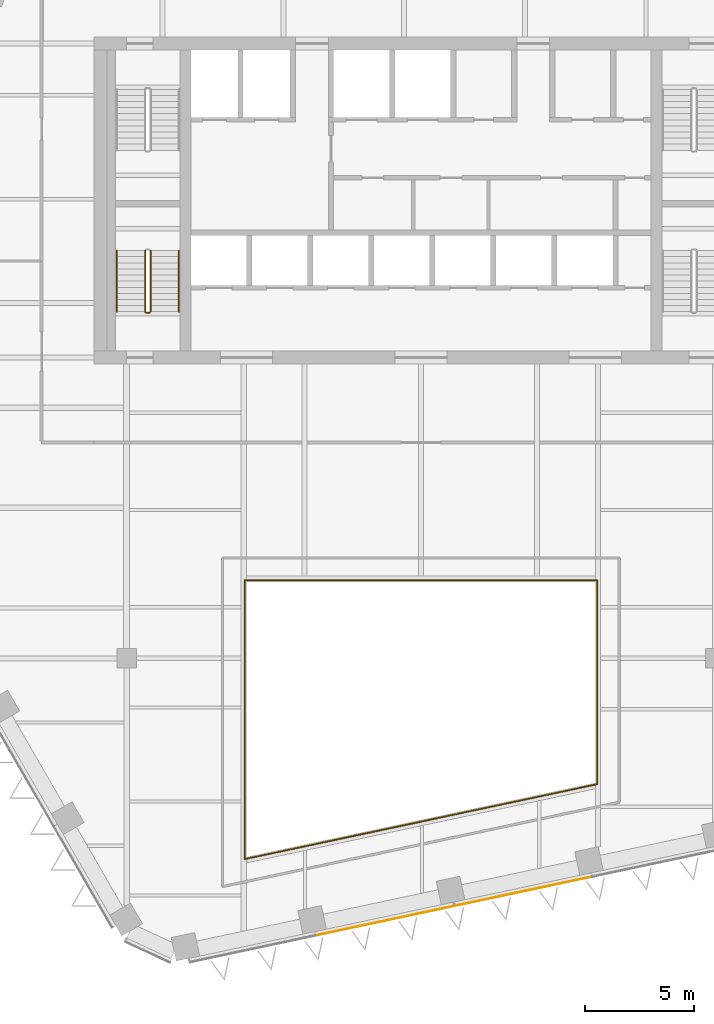
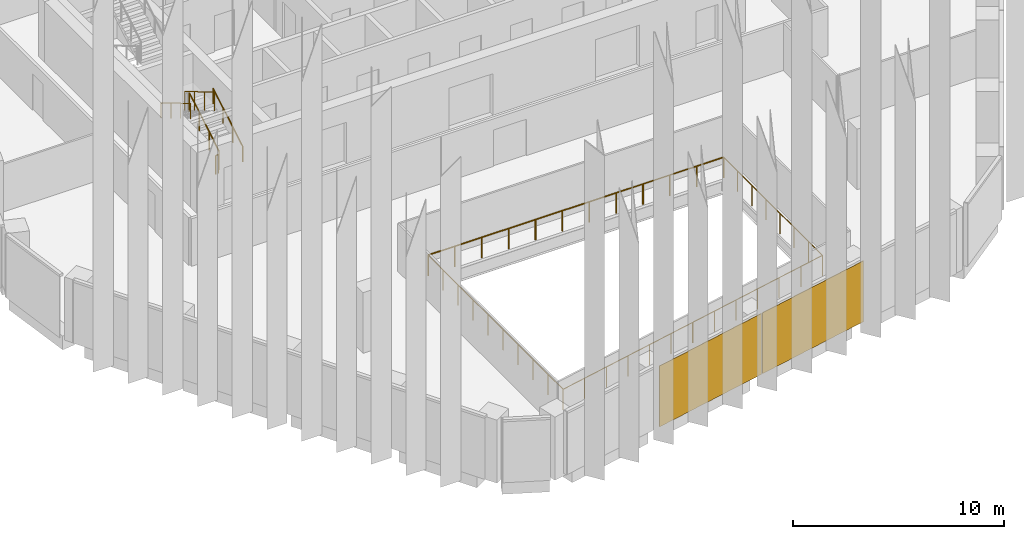
# One storey, part 12 of 18: 9 railings, 2 coverings, 1 element without a shape of its own.
"""IFC4 building model written with IfcOpenShell, lengths in metres."""

import ifcopenshell
import ifcopenshell.guid

model = None  # the IFC model being written
_history = None  # IfcOwnerHistory: only IFC2X3 demands one
_inside = {}  # id of a spatial element -> (the spatial element, [elements in it])
_under = {}  # id of a project, library or spatial element -> (it, [spatial elements below it])
_declared = {}  # id of a project -> (the project, [libraries it declares])
_typed = {}  # id of a type object -> (the type object, [elements of that type])
_made_of = {}  # id of a material, layer set ... -> (it, [elements and type objects made of it])


def new_model(schema):
    """Start an empty IFC model of exactly this schema.

    Asked for "IFC4X3", IfcOpenShell would pick the latest addendum, in which some entities
    have other attributes; the version numbers below select the first issue.
    IFC2X3 requires an IfcOwnerHistory on every rooted entity: one is made here for all.
    """
    global model, _history
    if schema == "IFC4X3":
        model = ifcopenshell.file(schema_version=(4, 3, 0, 0))
    else:
        model = ifcopenshell.file(schema=schema)
    _inside.clear()
    _under.clear()
    _declared.clear()
    _typed.clear()
    _made_of.clear()
    _history = None
    if model.schema == "IFC2X3":
        org = make("IfcOrganization", Name="unknown")
        user = make(
            "IfcPersonAndOrganization",
            ThePerson=make("IfcPerson", FamilyName="unknown"),
            TheOrganization=org,
        )
        app = make(
            "IfcApplication",
            ApplicationDeveloper=org,
            Version="unknown",
            ApplicationFullName="unknown",
            ApplicationIdentifier="unknown",
        )
        _history = make(
            "IfcOwnerHistory",
            OwningUser=user,
            OwningApplication=app,
            ChangeAction="ADDED",
            CreationDate=0,
        )
    return model


def make(cls, **values):
    """One entity of the class cls with the attributes given. An attribute that is None is left unset."""
    return model.create_entity(
        cls, **{name: value for name, value in values.items() if value is not None}
    )


def rooted(cls, **values):
    """An entity with a GlobalId (a new one), such as an element, a storey or a relation."""
    return make(cls, GlobalId=ifcopenshell.guid.new(), OwnerHistory=_history, **values)


def si_unit(unit_type, name, prefix=None):
    """IfcSIUnit, for example si_unit("LENGTHUNIT", "METRE", prefix="MILLI")."""
    return make("IfcSIUnit", UnitType=unit_type, Prefix=prefix, Name=name)


def assignment(units):
    """IfcUnitAssignment: the units of a project."""
    return None if units is None else make("IfcUnitAssignment", Units=units)


def point(xyz):
    """IfcCartesianPoint."""
    return None if xyz is None else make("IfcCartesianPoint", Coordinates=xyz)


def direction(xyz):
    """IfcDirection."""
    return None if xyz is None else make("IfcDirection", DirectionRatios=xyz)


def frame(location, z_axis=None, x_axis=None):
    """IfcAxis2Placement3D, a coordinate frame: its origin and axes. An axis left out is left unset."""
    return make(
        "IfcAxis2Placement3D",
        Location=point(location),
        Axis=direction(z_axis),
        RefDirection=direction(x_axis),
    )


def frame_2d(location, x_axis=None):
    """IfcAxis2Placement2D, a coordinate frame in the plane: its origin and x axis."""
    return make(
        "IfcAxis2Placement2D", Location=point(location), RefDirection=direction(x_axis)
    )


def origin():
    """The frame at (0, 0, 0) with its axes left unset."""
    return frame((0.0, 0.0, 0.0))


def origin_2d():
    """The frame at (0, 0) in the plane with its x axis left unset."""
    return frame_2d((0.0, 0.0))


def place(relative_to, where):
    """IfcLocalPlacement: puts the frame where relative to a parent placement (None: the world)."""
    return make(
        "IfcLocalPlacement", PlacementRelTo=relative_to, RelativePlacement=where
    )


def context(
    kind, dimensions, precision=None, world=None, true_north=None, identifier=None
):
    """IfcGeometricRepresentationContext, for example the 3D "Model" context."""
    return make(
        "IfcGeometricRepresentationContext",
        ContextIdentifier=identifier,
        ContextType=kind,
        CoordinateSpaceDimension=dimensions,
        Precision=precision,
        WorldCoordinateSystem=world,
        TrueNorth=true_north,
    )


def subcontext(parent, identifier, kind, view, scale=None):
    """IfcGeometricRepresentationSubContext, for example "Body" below "Model"."""
    return make(
        "IfcGeometricRepresentationSubContext",
        ContextIdentifier=identifier,
        ContextType=kind,
        ParentContext=parent,
        TargetScale=scale,
        TargetView=view,
    )


def project(units=None, contexts=None):
    """IfcProject with its units and contexts."""
    return rooted(
        "IfcProject",
        Name="project",
        RepresentationContexts=contexts,
        UnitsInContext=assignment(units),
    )


def spatial(cls, under=None, at=None, **own):
    """A site, building, storey or space (cls), placed at a placement, below another one or the project."""
    s = rooted(cls, ObjectPlacement=at, **own)
    if under is not None:
        _under.setdefault(under.id(), (under, []))[1].append(s)
    return s


def profile(cls, at=None, kind="AREA", **sizes):
    """A parametric profile (cls). Its sizes go by their IFC names, for example OverallWidth=200.0."""
    return make(cls, ProfileType=kind, Position=at, **sizes)


def rectangle(**sizes):
    """IfcRectangleProfileDef."""
    return profile("IfcRectangleProfileDef", **sizes)


def circle(**sizes):
    """IfcCircleProfileDef."""
    return profile("IfcCircleProfileDef", **sizes)


def extrude(swept, where, along, depth):
    """IfcExtrudedAreaSolid: the profile swept, set in the frame where, extruded along a direction by depth."""
    return make(
        "IfcExtrudedAreaSolid",
        SweptArea=swept,
        Position=where,
        ExtrudedDirection=direction(along),
        Depth=depth,
    )


def shape(context_of_items, identifier, shape_type, items):
    """IfcShapeRepresentation: the items that make up one representation, for example the "Body"."""
    return make(
        "IfcShapeRepresentation",
        ContextOfItems=context_of_items,
        RepresentationIdentifier=identifier,
        RepresentationType=shape_type,
        Items=items,
    )


def material(Name=None, Category=None):
    """IfcMaterial."""
    return make("IfcMaterial", Name=Name, Category=Category)


def layer(
    of_material, thickness, ventilated=None, Name=None, Category=None, Priority=None
):
    """IfcMaterialLayer: one layer of a wall or slab, of a material (None: an air gap)."""
    return make(
        "IfcMaterialLayer",
        Material=of_material,
        LayerThickness=thickness,
        IsVentilated=ventilated,
        Name=Name,
        Category=Category,
        Priority=Priority,
    )


def layer_set(layers, Name=None):
    """IfcMaterialLayerSet."""
    return make("IfcMaterialLayerSet", MaterialLayers=layers, LayerSetName=Name)


def made_of(thing, what):
    """Note that an element or type object is made of a material, layer set ...; save() writes the relation."""
    if what is not None:
        _made_of.setdefault(what.id(), (what, []))[1].append(thing)
    return thing


def type_object(cls, material=None, **own):
    """A type object (cls), such as IfcWallType, which elements share."""
    return made_of(rooted(cls, **own), material)


def element(
    cls,
    number,
    at=None,
    inside=None,
    cuts=None,
    type_object=None,
    material=None,
    context=None,
    identifier="Body",
    shape_type=None,
    held_by="IfcProductDefinitionShape",
    body=None,
    shapes=None,
    **own,
):
    """One element of the class cls, such as IfcWall. Its Tag is "e" and its number.

    at: its placement. inside: the storey or other place that contains it. cuts: it is an
    opening in that element (IfcRelVoidsElement). A single representation is given by context,
    identifier, shape_type and body (its items); several are given by shapes. held_by: the class
    of the entity that holds the representations. save() writes the other relations.
    """
    e = rooted(cls, Tag="e%d" % number, ObjectPlacement=at, **own)
    if body is not None:
        shapes = [shape(context, identifier, shape_type, body)]
    if shapes is not None:
        e.Representation = make(held_by, Representations=shapes)
    if inside is not None:
        _inside.setdefault(inside.id(), (inside, []))[1].append(e)
    if cuts is not None:
        rooted(
            "IfcRelVoidsElement", RelatingBuildingElement=cuts, RelatedOpeningElement=e
        )
    if type_object is not None:
        _typed.setdefault(type_object.id(), (type_object, []))[1].append(e)
    return made_of(e, material)


def aggregate(whole, parts):
    """IfcRelAggregates: a whole, such as a stair, and the parts it consists of."""
    return rooted("IfcRelAggregates", RelatingObject=whole, RelatedObjects=parts)


def save(model, path):
    """Write the relations noted so far, then the file.

    IfcRelAggregates (storeys below a building ...), IfcRelContainedInSpatialStructure (elements
    in a storey), IfcRelDefinesByType, IfcRelAssociatesMaterial and IfcRelDeclares: one each for
    every whole, place, type object, material and project.
    """
    for whole, parts in _under.values():
        aggregate(whole, parts)
    for where, things in _inside.values():
        rooted(
            "IfcRelContainedInSpatialStructure",
            RelatedElements=things,
            RelatingStructure=where,
        )
    for kind, things in _typed.values():
        rooted("IfcRelDefinesByType", RelatedObjects=things, RelatingType=kind)
    for what, things in _made_of.values():
        rooted("IfcRelAssociatesMaterial", RelatedObjects=things, RelatingMaterial=what)
    for by, libraries in _declared.values():
        rooted("IfcRelDeclares", RelatingContext=by, RelatedDefinitions=libraries)
    model.write(path)


model = new_model("IFC4")

# Units and contexts
model_context = context("Model", 3, precision=1e-05, world=origin(), true_north=direction((0.0, 1.0)))
body_context = subcontext(model_context, "Body", "Model", "MODEL_VIEW")
ifc_project = project(units=[si_unit("LENGTHUNIT", "METRE"), si_unit("AREAUNIT", "SQUARE_METRE"), si_unit("VOLUMEUNIT", "CUBIC_METRE"), si_unit("PLANEANGLEUNIT", "RADIAN"), si_unit("MASSUNIT", "GRAM", prefix="KILO")], contexts=[model_context])

# Site, building, storey
site_placement = place(None, origin())
site = spatial("IfcSite", under=ifc_project, at=site_placement, CompositionType="ELEMENT")
building_placement = place(site_placement, origin())
building = spatial("IfcBuilding", under=site, at=building_placement, Name="Isthmus Gate Tower", CompositionType="ELEMENT")
storey_placement = place(building_placement, frame((0.0, 0.0, 238.199951171875)))
storey = spatial("IfcBuildingStorey", under=building, at=storey_placement, Name="L60", CompositionType="ELEMENT", Elevation=238.199951171875)

# Railings
ifc_material_1 = material(Name="Laminated toughened glass balustrade with steel rail", Category="steel")
railing_type_1 = type_object("IfcRailingType", Name="ATRIUM GUARD GLASS BALUSTRADE 1200", PredefinedType="GUARDRAIL", material=ifc_material_1)
railing_1_placement = place(storey_placement, frame((-8.080078125, -22.7099609375, 0.0)))
element("IfcRailing", 1, at=railing_1_placement, inside=storey, type_object=railing_type_1, Name="L60 atrium guard", PredefinedType="GUARDRAIL", context=body_context, shape_type="SweptSolid", body=[
    extrude(circle(Radius=0.02490234375, at=origin_2d()), frame((0.0, 0.0, 1.1748046875), z_axis=(0.0, 1.0, 0.0), x_axis=(-1.0, 0.0, 0.0)), (0.0, 0.0, 1.0), 12.7900390625),
    extrude(circle(Radius=0.02490234375, at=origin_2d()), origin(), (0.0, 0.0, 1.0), 1.14990234375),
    extrude(circle(Radius=0.02490234375, at=origin_2d()), frame((0.0, 1.421142578125, 0.0)), (0.0, 0.0, 1.0), 1.14990234375),
    extrude(circle(Radius=0.02490234375, at=origin_2d()), frame((0.0, 2.84228515625, 0.0)), (0.0, 0.0, 1.0), 1.14990234375),
    extrude(circle(Radius=0.02490234375, at=origin_2d()), frame((0.0, 4.263427734375, 0.0)), (0.0, 0.0, 1.0), 1.14990234375),
    extrude(circle(Radius=0.02490234375, at=origin_2d()), frame((0.0, 5.6845703125, 0.0)), (0.0, 0.0, 1.0), 1.14990234375),
    extrude(circle(Radius=0.02490234375, at=origin_2d()), frame((0.0, 7.10546875, 0.0)), (0.0, 0.0, 1.0), 1.14990234375),
    extrude(circle(Radius=0.02490234375, at=origin_2d()), frame((0.0, 8.526611328125, 0.0)), (0.0, 0.0, 1.0), 1.14990234375),
    extrude(circle(Radius=0.02490234375, at=origin_2d()), frame((0.0, 9.94775390625, 0.0)), (0.0, 0.0, 1.0), 1.14990234375),
    extrude(circle(Radius=0.02490234375, at=origin_2d()), frame((0.0, 11.368896484375, 0.0)), (0.0, 0.0, 1.0), 1.14990234375),
    extrude(circle(Radius=0.02490234375, at=origin_2d()), frame((0.0, 12.7900390625, 0.0)), (0.0, 0.0, 1.0), 1.14990234375),
])
railing_2_placement = place(storey_placement, frame((-8.080078125, -9.919921875, 0.0)))
element("IfcRailing", 2, at=railing_2_placement, inside=storey, type_object=railing_type_1, Name="L60 atrium guard", PredefinedType="GUARDRAIL", context=body_context, shape_type="SweptSolid", body=[
    extrude(circle(Radius=0.02490234375, at=origin_2d()), frame((0.0, 0.0, 1.1748046875), z_axis=(1.0, 0.0, 0.0), x_axis=(0.0, 1.0, 0.0)), (0.0, 0.0, 1.0), 16.16015625),
    extrude(circle(Radius=0.02490234375, at=origin_2d()), origin(), (0.0, 0.0, 1.0), 1.14990234375),
    extrude(circle(Radius=0.02490234375, at=origin_2d()), frame((1.468994140625, 0.0, 0.0)), (0.0, 0.0, 1.0), 1.14990234375),
    extrude(circle(Radius=0.02490234375, at=origin_2d()), frame((2.938232421875, 0.0, 0.0)), (0.0, 0.0, 1.0), 1.14990234375),
    extrude(circle(Radius=0.02490234375, at=origin_2d()), frame((4.4072265625, 0.0, 0.0)), (0.0, 0.0, 1.0), 1.14990234375),
    extrude(circle(Radius=0.02490234375, at=origin_2d()), frame((5.87646484375, 0.0, 0.0)), (0.0, 0.0, 1.0), 1.14990234375),
    extrude(circle(Radius=0.02490234375, at=origin_2d()), frame((7.345458984375, 0.0, 0.0)), (0.0, 0.0, 1.0), 1.14990234375),
    extrude(circle(Radius=0.02490234375, at=origin_2d()), frame((8.814697265625, 0.0, 0.0)), (0.0, 0.0, 1.0), 1.14990234375),
    extrude(circle(Radius=0.02490234375, at=origin_2d()), frame((10.28369140625, 0.0, 0.0)), (0.0, 0.0, 1.0), 1.14990234375),
    extrude(circle(Radius=0.02490234375, at=origin_2d()), frame((11.7529296875, 0.0, 0.0)), (0.0, 0.0, 1.0), 1.14990234375),
    extrude(circle(Radius=0.02490234375, at=origin_2d()), frame((13.221923828125, 0.0, 0.0)), (0.0, 0.0, 1.0), 1.14990234375),
    extrude(circle(Radius=0.02490234375, at=origin_2d()), frame((14.691162109375, 0.0, 0.0)), (0.0, 0.0, 1.0), 1.14990234375),
    extrude(circle(Radius=0.02490234375, at=origin_2d()), frame((16.16015625, 0.0, 0.0)), (0.0, 0.0, 1.0), 1.14990234375),
])
railing_3_placement = place(storey_placement, frame((8.080078125, -9.919921875, 0.0)))
element("IfcRailing", 3, at=railing_3_placement, inside=storey, type_object=railing_type_1, Name="L60 atrium guard", PredefinedType="GUARDRAIL", context=body_context, shape_type="SweptSolid", body=[
    extrude(circle(Radius=0.02490234375, at=origin_2d()), frame((0.0, 0.0, 1.1748046875), z_axis=(0.0, -1.0, 0.0), x_axis=(1.0, 0.0, 0.0)), (0.0, 0.0, 1.0), 9.35498046875),
    extrude(circle(Radius=0.02490234375, at=origin_2d()), origin(), (0.0, 0.0, 1.0), 1.14990234375),
    extrude(circle(Radius=0.02490234375, at=origin_2d()), frame((0.0, -1.33642578125, 0.0)), (0.0, 0.0, 1.0), 1.14990234375),
    extrude(circle(Radius=0.02490234375, at=origin_2d()), frame((0.0, -2.6728515625, 0.0)), (0.0, 0.0, 1.0), 1.14990234375),
    extrude(circle(Radius=0.02490234375, at=origin_2d()), frame((0.0, -4.00927734375, 0.0)), (0.0, 0.0, 1.0), 1.14990234375),
    extrude(circle(Radius=0.02490234375, at=origin_2d()), frame((0.0, -5.345703125, 0.0)), (0.0, 0.0, 1.0), 1.14990234375),
    extrude(circle(Radius=0.02490234375, at=origin_2d()), frame((0.0, -6.68212890625, 0.0)), (0.0, 0.0, 1.0), 1.14990234375),
    extrude(circle(Radius=0.02490234375, at=origin_2d()), frame((0.0, -8.0185546875, 0.0)), (0.0, 0.0, 1.0), 1.14990234375),
    extrude(circle(Radius=0.02490234375, at=origin_2d()), frame((0.0, -9.35498046875, 0.0)), (0.0, 0.0, 1.0), 1.14990234375),
])
railing_4_placement = place(storey_placement, frame((8.080078125, -19.27490234375, 0.0)))
element("IfcRailing", 4, at=railing_4_placement, inside=storey, type_object=railing_type_1, Name="L60 atrium guard", PredefinedType="GUARDRAIL", context=body_context, shape_type="SweptSolid", body=[
    extrude(circle(Radius=0.02490234375, at=origin_2d()), frame((0.0, 0.0, 1.1748046875), z_axis=(-0.978146230105, -0.207918139013, 0.0), x_axis=(0.207918139013, -0.978146230105, 0.0)), (0.0, 0.0, 1.0), 16.521240234375),
    extrude(circle(Radius=0.02490234375, at=origin_2d()), origin(), (0.0, 0.0, 1.0), 1.14990234375),
    extrude(circle(Radius=0.02490234375, at=origin_2d()), frame((-1.3466796875, -0.2861328125, 0.0)), (0.0, 0.0, 1.0), 1.14990234375),
    extrude(circle(Radius=0.02490234375, at=origin_2d()), frame((-2.693359375, -0.572509765625, 0.0)), (0.0, 0.0, 1.0), 1.14990234375),
    extrude(circle(Radius=0.02490234375, at=origin_2d()), frame((-4.0400390625, -0.85888671875, 0.0)), (0.0, 0.0, 1.0), 1.14990234375),
    extrude(circle(Radius=0.02490234375, at=origin_2d()), frame((-5.38671875, -1.14501953125, 0.0)), (0.0, 0.0, 1.0), 1.14990234375),
    extrude(circle(Radius=0.02490234375, at=origin_2d()), frame((-6.7333984375, -1.43115234375, 0.0)), (0.0, 0.0, 1.0), 1.14990234375),
    extrude(circle(Radius=0.02490234375, at=origin_2d()), frame((-8.080078125, -1.717529296875, 0.0)), (0.0, 0.0, 1.0), 1.14990234375),
    extrude(circle(Radius=0.02490234375, at=origin_2d()), frame((-9.4267578125, -2.00390625, 0.0)), (0.0, 0.0, 1.0), 1.14990234375),
    extrude(circle(Radius=0.02490234375, at=origin_2d()), frame((-10.7734375, -2.2900390625, 0.0)), (0.0, 0.0, 1.0), 1.14990234375),
    extrude(circle(Radius=0.02490234375, at=origin_2d()), frame((-12.1201171875, -2.576171875, 0.0)), (0.0, 0.0, 1.0), 1.14990234375),
    extrude(circle(Radius=0.02490234375, at=origin_2d()), frame((-13.466796875, -2.862548828125, 0.0)), (0.0, 0.0, 1.0), 1.14990234375),
    extrude(circle(Radius=0.02490234375, at=origin_2d()), frame((-14.8134765625, -3.14892578125, 0.0)), (0.0, 0.0, 1.0), 1.14990234375),
    extrude(circle(Radius=0.02490234375, at=origin_2d()), frame((-16.16015625, -3.43505859375, 0.0)), (0.0, 0.0, 1.0), 1.14990234375),
])

# Curtain wall, coverings
ifc_material_2 = material(Name="Aluminium, pale champagne anodised", Category="aluminium")
ifc_layer_1 = layer(ifc_material_2, 0.199951171875)
ifc_layer_set_1 = layer_set([ifc_layer_1], Name="CW-1 UNITISED CURTAIN WALL 200 DEEP")
curtain_wall_type = type_object("IfcCurtainWallType", Name="CW-1 UNITISED CURTAIN WALL 200 DEEP", PredefinedType="NOTDEFINED", material=ifc_layer_set_1)
curtain_wall_placement = place(storey_placement, origin())
curtain_wall = element("IfcCurtainWall", 5, at=curtain_wall_placement, inside=storey, type_object=curtain_wall_type, Name="CW-1 S L60", PredefinedType="NOTDEFINED")
ifc_material_3 = material(Name="Aluminium composite panel, pale champagne anodised", Category="aluminium")
ifc_layer_2 = layer(ifc_material_3, 0.031982421875)
ifc_layer_set_2 = layer_set([ifc_layer_2], Name="CW-1 PALE METAL PANEL 32")
covering_type = type_object("IfcCoveringType", Name="CW-1 PALE METAL PANEL 32", PredefinedType="CLADDING", material=ifc_layer_set_2)
covering_1_placement = place(storey_placement, frame((-1.66259765625, -25.54150390625, 0.0), z_axis=(0.0, 0.0, 1.0), x_axis=(0.978147600734, 0.207911690818, 0.0)))
covering_1 = element("IfcCovering", 6, at=covering_1_placement, type_object=covering_type, Name="CW-1 pale metal panel", PredefinedType="CLADDING", context=body_context, shape_type="SweptSolid", body=[
    extrude(rectangle(XDim=6.491943359375, YDim=0.031982421875, at=origin_2d()), origin(), (0.0, 0.0, 1.0), 3.52001953125),
])
covering_2_placement = place(storey_placement, frame((4.716796875, -24.185546875, 0.0), z_axis=(0.0, 0.0, 1.0), x_axis=(0.978147600734, 0.207911690818, 0.0)))
covering_2 = element("IfcCovering", 7, at=covering_2_placement, type_object=covering_type, Name="CW-1 pale metal panel", PredefinedType="CLADDING", context=body_context, shape_type="SweptSolid", body=[
    extrude(rectangle(XDim=6.431884765625, YDim=0.031982421875, at=origin_2d()), origin(), (0.0, 0.0, 1.0), 3.52001953125),
])
aggregate(curtain_wall, [covering_1, covering_2])

# Railings
ifc_material_4 = material(Name="Stainless steel balustrade", Category="steel")
railing_type_2 = type_object("IfcRailingType", Name="STAIR GUARD 1100", PredefinedType="GUARDRAIL", material=ifc_material_4)
railing_5_placement = place(storey_placement, frame((-12.39990234375, 2.39990234375, 0.166015625)))
element("IfcRailing", 8, at=railing_5_placement, inside=storey, type_object=railing_type_2, Name="L60 ST7 stair guard 1", PredefinedType="GUARDRAIL", context=body_context, shape_type="SweptSolid", body=[
    extrude(circle(Radius=0.02392578125, at=origin_2d()), frame((0.0, 0.0, 1.076171875), z_axis=(0.0, 0.860339051648, 0.50972219513), x_axis=(-1.0, 0.0, 0.0)), (0.0, 0.0, 1.0), 3.254638671875),
    extrude(circle(Radius=0.02099609375, at=origin_2d()), origin(), (0.0, 0.0, 1.0), 1.052001953125),
    extrude(circle(Radius=0.02099609375, at=origin_2d()), frame((0.0, 0.933349609375, 0.552978515625)), (0.0, 0.0, 1.0), 1.052001953125),
    extrude(circle(Radius=0.02099609375, at=origin_2d()), frame((0.0, 1.86669921875, 1.10595703125)), (0.0, 0.0, 1.0), 1.052001953125),
    extrude(circle(Radius=0.02099609375, at=origin_2d()), frame((0.0, 2.800048828125, 1.658935546875)), (0.0, 0.0, 1.0), 1.052001953125),
])
railing_6_placement = place(storey_placement, frame((-12.64990234375, 5.199951171875, 1.990966796875)))
element("IfcRailing", 9, at=railing_6_placement, inside=storey, type_object=railing_type_2, Name="L60 ST7 stair guard 3", PredefinedType="GUARDRAIL", context=body_context, shape_type="SweptSolid", body=[
    extrude(circle(Radius=0.02392578125, at=origin_2d()), frame((0.0, 0.0, 1.076171875), z_axis=(0.0, -0.860306154799, 0.50977771628), x_axis=(1.0, 0.0, 0.0)), (0.0, 0.0, 1.0), 3.254638671875),
    extrude(circle(Radius=0.02099609375, at=origin_2d()), origin(), (0.0, 0.0, 1.0), 1.052001953125),
    extrude(circle(Radius=0.02099609375, at=origin_2d()), frame((0.0, -0.933349609375, 0.552978515625)), (0.0, 0.0, 1.0), 1.052001953125),
    extrude(circle(Radius=0.02099609375, at=origin_2d()), frame((0.0, -1.86669921875, 1.106201171875)), (0.0, 0.0, 1.0), 1.052001953125),
    extrude(circle(Radius=0.02099609375, at=origin_2d()), frame((0.0, -2.800048828125, 1.6591796875)), (0.0, 0.0, 1.0), 1.052001953125),
])
railing_7_placement = place(storey_placement, frame((-12.449951171875, 2.35009765625, 0.0)))
element("IfcRailing", 10, at=railing_7_placement, inside=storey, type_object=railing_type_2, Name="L60 ST7 stair guard 4", PredefinedType="GUARDRAIL", context=body_context, shape_type="SweptSolid", body=[
    extrude(circle(Radius=0.02392578125, at=origin_2d()), frame((0.0, 0.0, 1.076171875), z_axis=(-1.0, 0.0, 0.0), x_axis=(0.0, -1.0, 0.0)), (0.0, 0.0, 1.0), 0.150146484375),
    extrude(circle(Radius=0.02099609375, at=origin_2d()), origin(), (0.0, 0.0, 1.0), 1.052001953125),
    extrude(circle(Radius=0.02099609375, at=origin_2d()), frame((-0.150146484375, 0.0, 0.0)), (0.0, 0.0, 1.0), 1.052001953125),
])
ifc_material_5 = material(Name="Stainless steel handrail", Category="steel")
railing_type_3 = type_object("IfcRailingType", Name="STAIR HANDRAIL 900", PredefinedType="HANDRAIL", material=ifc_material_5)
railing_8_placement = place(storey_placement, frame((-11.10009765625, 2.39990234375, 0.166015625)))
element("IfcRailing", 11, at=railing_8_placement, inside=storey, type_object=railing_type_3, Name="L60 ST7 stair handrail 1", PredefinedType="HANDRAIL", context=body_context, shape_type="SweptSolid", body=[
    extrude(circle(Radius=0.02392578125, at=origin_2d()), frame((0.0, 0.0, 0.8759765625), z_axis=(0.0, 0.860339051648, 0.50972219513), x_axis=(-1.0, 0.0, 0.0)), (0.0, 0.0, 1.0), 3.254638671875),
    extrude(circle(Radius=0.02099609375, at=origin_2d()), origin(), (0.0, 0.0, 1.0), 0.851806640625),
    extrude(circle(Radius=0.02099609375, at=origin_2d()), frame((0.0, 0.933349609375, 0.552978515625)), (0.0, 0.0, 1.0), 0.851806640625),
    extrude(circle(Radius=0.02099609375, at=origin_2d()), frame((0.0, 1.86669921875, 1.10595703125)), (0.0, 0.0, 1.0), 0.851806640625),
    extrude(circle(Radius=0.02099609375, at=origin_2d()), frame((0.0, 2.800048828125, 1.658935546875)), (0.0, 0.0, 1.0), 0.851806640625),
])
railing_9_placement = place(storey_placement, frame((-13.949951171875, 5.199951171875, 1.990966796875)))
element("IfcRailing", 12, at=railing_9_placement, inside=storey, type_object=railing_type_3, Name="L60 ST7 stair handrail 2", PredefinedType="HANDRAIL", context=body_context, shape_type="SweptSolid", body=[
    extrude(circle(Radius=0.02392578125, at=origin_2d()), frame((0.0, 0.0, 0.8759765625), z_axis=(0.0, -0.860306154799, 0.50977771628), x_axis=(1.0, 0.0, 0.0)), (0.0, 0.0, 1.0), 3.254638671875),
    extrude(circle(Radius=0.02099609375, at=origin_2d()), origin(), (0.0, 0.0, 1.0), 0.851806640625),
    extrude(circle(Radius=0.02099609375, at=origin_2d()), frame((0.0, -0.933349609375, 0.552978515625)), (0.0, 0.0, 1.0), 0.851806640625),
    extrude(circle(Radius=0.02099609375, at=origin_2d()), frame((0.0, -1.86669921875, 1.106201171875)), (0.0, 0.0, 1.0), 0.851806640625),
    extrude(circle(Radius=0.02099609375, at=origin_2d()), frame((0.0, -2.800048828125, 1.6591796875)), (0.0, 0.0, 1.0), 0.851806640625),
])

save(model, "model.ifc")
